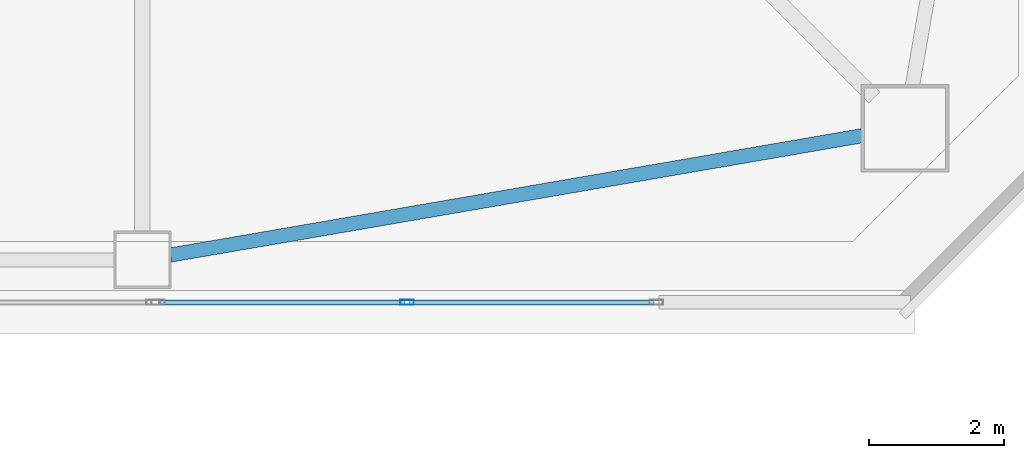
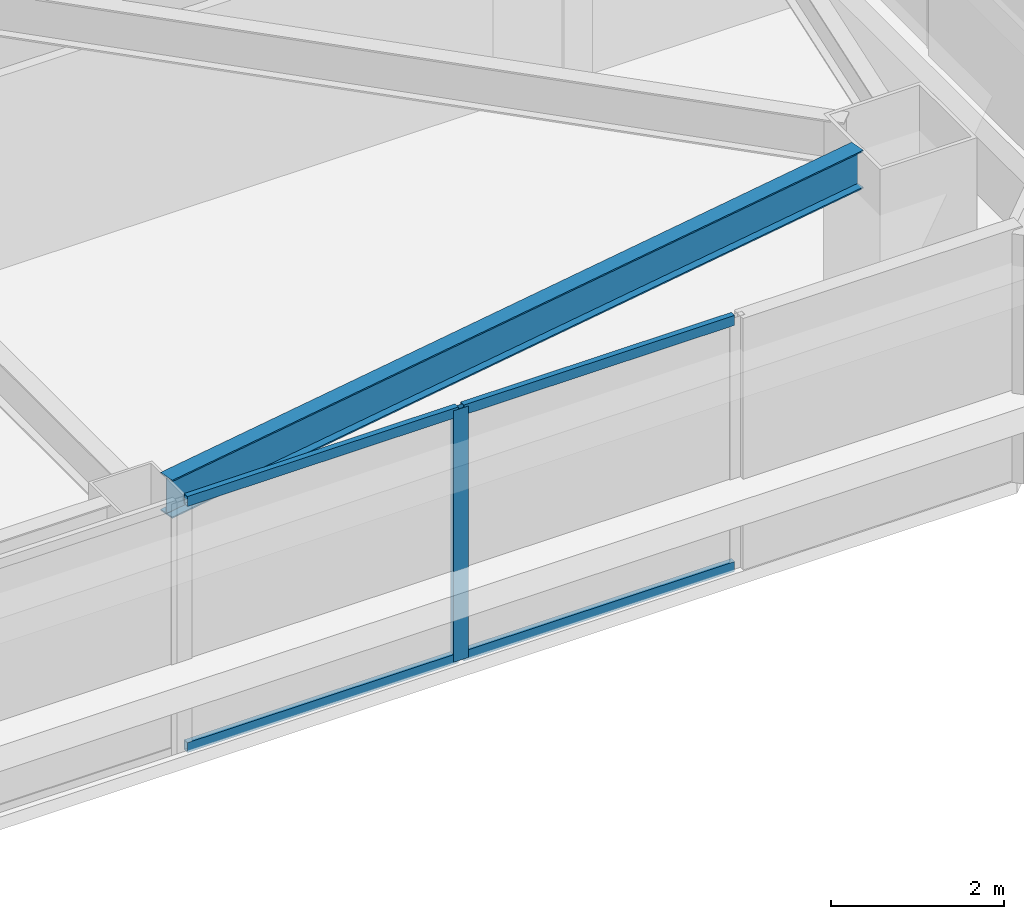
# One storey, part 6 of 44: 5 members, 1 beam, 1 element without a shape of its own.
"""IFC4 building model written with IfcOpenShell, lengths in metres."""

from ifc_helpers import new_model, si_unit, direction, frame, origin, origin_2d, place, context, subcontext, project, spatial, hollow_rectangle, i_section, extrude, material, material_profile, profile_set, type_object, element, aggregate, save


model = new_model("IFC4")

# Units and contexts
model_context = context("Model", 3, precision=1e-05, world=origin(), true_north=direction((0.0, 1.0)))
body_context = subcontext(model_context, "Body", "Model", "MODEL_VIEW")
ifc_project = project(units=[si_unit("LENGTHUNIT", "METRE"), si_unit("AREAUNIT", "SQUARE_METRE"), si_unit("VOLUMEUNIT", "CUBIC_METRE"), si_unit("PLANEANGLEUNIT", "RADIAN"), si_unit("MASSUNIT", "GRAM", prefix="KILO")], contexts=[model_context])

# Site, building, storey
site_placement = place(None, origin())
site = spatial("IfcSite", under=ifc_project, at=site_placement, CompositionType="ELEMENT")
building_placement = place(site_placement, origin())
building = spatial("IfcBuilding", under=site, at=building_placement, Name="Tashvorn Skyway Center", CompositionType="ELEMENT")
storey_placement = place(building_placement, frame((0.0, 0.0, 149.89990234375)))
storey = spatial("IfcBuildingStorey", under=building, at=storey_placement, Name="L40", CompositionType="ELEMENT", Elevation=149.89990234375)

# Beam
ifc_material_1 = material(Name="Steel ASTM A992 Grade 50", Category="steel")
ifc_material_profile_1 = material_profile(ifc_material_1, i_section(OverallWidth=0.2109375, OverallDepth=0.5390625, WebThickness=0.01171875, FlangeThickness=0.018798828125, at=origin_2d()), Name="W21X73")
ifc_profile_set_1 = profile_set([ifc_material_profile_1], Name="Steel ASTM A992 Grade 50")
beam_type = type_object("IfcBeamType", Name="BM-SPANDREL-W21X73", PredefinedType="SPANDREL", material=ifc_profile_set_1)
beam_placement = place(storey_placement, frame((47.81396484375, 13.42138671875, 3.1005859375), z_axis=(0.985432458462, 0.170067250846, 0.0), x_axis=(-0.170067250846, 0.985432458462, 0.0)))
element("IfcBeam", 1, at=beam_placement, inside=storey, type_object=beam_type, Name="Tower 1 L40 Spandrel Beam 03", PredefinedType="SPANDREL", context=body_context, shape_type="SweptSolid", body=[
    extrude(i_section(OverallWidth=0.2109375, OverallDepth=0.5390625, WebThickness=0.01171875, FlangeThickness=0.018798828125, at=origin_2d()), origin(), (0.0, 0.0, 1.0), 10.402099609375),
])

# Curtain wall, members
ifc_material_2 = material(Name="Thermally broken bronze-anodized aluminium 6063-T6", Category="aluminium")
curtain_wall_type = type_object("IfcCurtainWallType", Name="CW-CW-Z3", PredefinedType="NOTDEFINED", material=ifc_material_2)
curtain_wall_placement = place(storey_placement, origin())
curtain_wall = element("IfcCurtainWall", 2, at=curtain_wall_placement, inside=storey, type_object=curtain_wall_type, Name="Tower 1 L40 South Unitised Curtain Wall Glazing Group 1", PredefinedType="NOTDEFINED")
ifc_material_profile_2 = material_profile(ifc_material_2, hollow_rectangle(XDim=0.074951171875, YDim=0.199951171875, WallThickness=0.00439453125, at=origin_2d()), Name="ALU-MULL-75x200")
ifc_profile_set_2 = profile_set([ifc_material_profile_2], Name="Thermally broken bronze-anodized aluminium 6063-T6")
member_type_1 = type_object("IfcMemberType", Name="CWM-CW-Z3", PredefinedType="MULLION", material=ifc_profile_set_2)
member_1_placement = place(storey_placement, frame((51.322265625, 12.719970703125, 0.0), z_axis=(0.0, 0.0, 1.0), x_axis=(0.0, -1.0, 0.0)))
member_1 = element("IfcMember", 3, at=member_1_placement, type_object=member_type_1, Name="CW-Z3 mullion 2", PredefinedType="MULLION", context=body_context, shape_type="SweptSolid", body=[
    extrude(hollow_rectangle(XDim=0.074951171875, YDim=0.199951171875, WallThickness=0.00439453125, at=origin_2d()), origin(), (0.0, 0.0, 1.0), 3.550048828125),
])
ifc_material_profile_3 = material_profile(ifc_material_2, hollow_rectangle(XDim=0.074951171875, YDim=0.139892578125, WallThickness=0.004150390625, at=origin_2d()), Name="ALU-TRAN-75x140")
ifc_profile_set_3 = profile_set([ifc_material_profile_3], Name="Thermally broken bronze-anodized aluminium 6063-T6")
member_type_2 = type_object("IfcMemberType", Name="CWT-CW-Z3", PredefinedType="USERDEFINED", material=ifc_profile_set_3)
member_2_placement = place(storey_placement, frame((54.97607421875, 12.719970703125, 0.03759765625), z_axis=(-1.0, 0.0, 0.0), x_axis=(0.0, -1.0, 0.0)))
member_2 = element("IfcMember", 4, at=member_2_placement, type_object=member_type_2, Name="CW-Z3 transom 1.1", ObjectType="TRANSOM", PredefinedType="USERDEFINED", context=body_context, shape_type="SweptSolid", body=[
    extrude(hollow_rectangle(XDim=0.074951171875, YDim=0.139892578125, WallThickness=0.004150390625, at=origin_2d()), origin(), (0.0, 0.0, 1.0), 3.616455078125),
])
member_3_placement = place(storey_placement, frame((54.97607421875, 12.719970703125, 3.5126953125), z_axis=(-1.0, 0.0, 0.0), x_axis=(0.0, -1.0, 0.0)))
member_3 = element("IfcMember", 5, at=member_3_placement, type_object=member_type_2, Name="CW-Z3 transom 1.2", ObjectType="TRANSOM", PredefinedType="USERDEFINED", context=body_context, shape_type="SweptSolid", body=[
    extrude(hollow_rectangle(XDim=0.074951171875, YDim=0.139892578125, WallThickness=0.004150390625, at=origin_2d()), origin(), (0.0, 0.0, 1.0), 3.616455078125),
])
member_4_placement = place(storey_placement, frame((51.28466796875, 12.719970703125, 0.03759765625), z_axis=(-1.0, 0.0, 0.0), x_axis=(0.0, -1.0, 0.0)))
member_4 = element("IfcMember", 6, at=member_4_placement, type_object=member_type_2, Name="CW-Z3 transom 2.1", ObjectType="TRANSOM", PredefinedType="USERDEFINED", context=body_context, shape_type="SweptSolid", body=[
    extrude(hollow_rectangle(XDim=0.074951171875, YDim=0.139892578125, WallThickness=0.004150390625, at=origin_2d()), origin(), (0.0, 0.0, 1.0), 3.616455078125),
])
member_5_placement = place(storey_placement, frame((51.28466796875, 12.719970703125, 3.5126953125), z_axis=(-1.0, 0.0, 0.0), x_axis=(0.0, -1.0, 0.0)))
member_5 = element("IfcMember", 7, at=member_5_placement, type_object=member_type_2, Name="CW-Z3 transom 2.2", ObjectType="TRANSOM", PredefinedType="USERDEFINED", context=body_context, shape_type="SweptSolid", body=[
    extrude(hollow_rectangle(XDim=0.074951171875, YDim=0.139892578125, WallThickness=0.004150390625, at=origin_2d()), origin(), (0.0, 0.0, 1.0), 3.616455078125),
])
aggregate(curtain_wall, [member_1, member_2, member_3, member_4, member_5])

save(model, "model.ifc")
